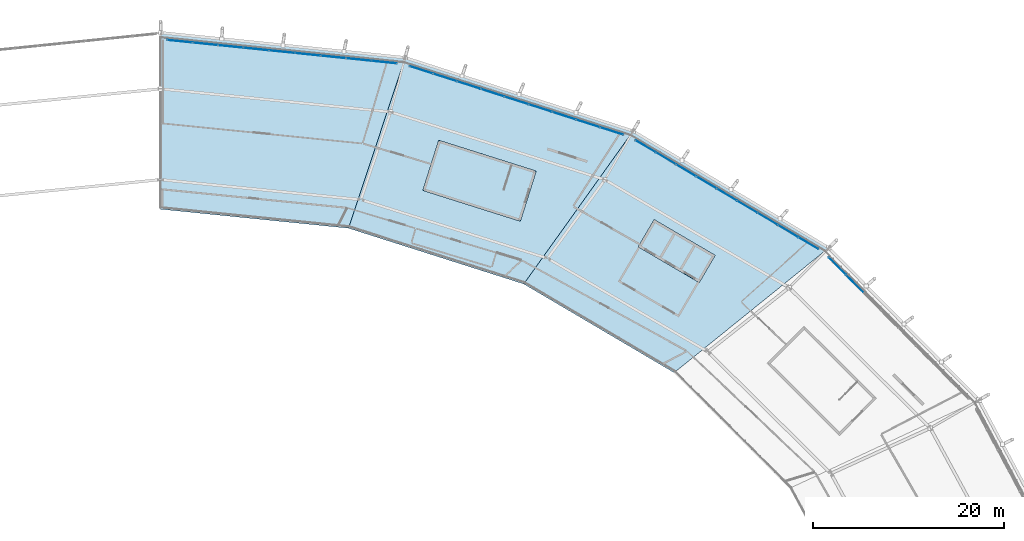
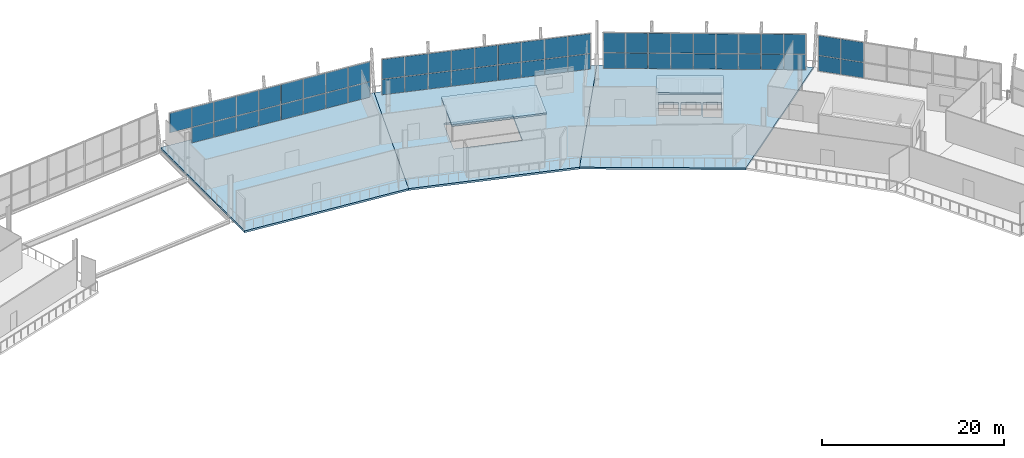
# One storey, part 61 of 99: 57 plates, 5 slabs, 4 elements without a shape of their own.
"""IFC4 building model written with IfcOpenShell, lengths in metres."""

import ifcopenshell
import ifcopenshell.guid

model = None  # the IFC model being written
_history = None  # IfcOwnerHistory: only IFC2X3 demands one
_inside = {}  # id of a spatial element -> (the spatial element, [elements in it])
_under = {}  # id of a project, library or spatial element -> (it, [spatial elements below it])
_declared = {}  # id of a project -> (the project, [libraries it declares])
_typed = {}  # id of a type object -> (the type object, [elements of that type])
_made_of = {}  # id of a material, layer set ... -> (it, [elements and type objects made of it])


def new_model(schema):
    """Start an empty IFC model of exactly this schema.

    Asked for "IFC4X3", IfcOpenShell would pick the latest addendum, in which some entities
    have other attributes; the version numbers below select the first issue.
    IFC2X3 requires an IfcOwnerHistory on every rooted entity: one is made here for all.
    """
    global model, _history
    if schema == "IFC4X3":
        model = ifcopenshell.file(schema_version=(4, 3, 0, 0))
    else:
        model = ifcopenshell.file(schema=schema)
    _inside.clear()
    _under.clear()
    _declared.clear()
    _typed.clear()
    _made_of.clear()
    _history = None
    if model.schema == "IFC2X3":
        org = make("IfcOrganization", Name="unknown")
        user = make(
            "IfcPersonAndOrganization",
            ThePerson=make("IfcPerson", FamilyName="unknown"),
            TheOrganization=org,
        )
        app = make(
            "IfcApplication",
            ApplicationDeveloper=org,
            Version="unknown",
            ApplicationFullName="unknown",
            ApplicationIdentifier="unknown",
        )
        _history = make(
            "IfcOwnerHistory",
            OwningUser=user,
            OwningApplication=app,
            ChangeAction="ADDED",
            CreationDate=0,
        )
    return model


def make(cls, **values):
    """One entity of the class cls with the attributes given. An attribute that is None is left unset."""
    return model.create_entity(
        cls, **{name: value for name, value in values.items() if value is not None}
    )


def rooted(cls, **values):
    """An entity with a GlobalId (a new one), such as an element, a storey or a relation."""
    return make(cls, GlobalId=ifcopenshell.guid.new(), OwnerHistory=_history, **values)


def si_unit(unit_type, name, prefix=None):
    """IfcSIUnit, for example si_unit("LENGTHUNIT", "METRE", prefix="MILLI")."""
    return make("IfcSIUnit", UnitType=unit_type, Prefix=prefix, Name=name)


def assignment(units):
    """IfcUnitAssignment: the units of a project."""
    return None if units is None else make("IfcUnitAssignment", Units=units)


def point(xyz):
    """IfcCartesianPoint."""
    return None if xyz is None else make("IfcCartesianPoint", Coordinates=xyz)


def direction(xyz):
    """IfcDirection."""
    return None if xyz is None else make("IfcDirection", DirectionRatios=xyz)


def frame(location, z_axis=None, x_axis=None):
    """IfcAxis2Placement3D, a coordinate frame: its origin and axes. An axis left out is left unset."""
    return make(
        "IfcAxis2Placement3D",
        Location=point(location),
        Axis=direction(z_axis),
        RefDirection=direction(x_axis),
    )


def frame_2d(location, x_axis=None):
    """IfcAxis2Placement2D, a coordinate frame in the plane: its origin and x axis."""
    return make(
        "IfcAxis2Placement2D", Location=point(location), RefDirection=direction(x_axis)
    )


def origin():
    """The frame at (0, 0, 0) with its axes left unset."""
    return frame((0.0, 0.0, 0.0))


def origin_2d():
    """The frame at (0, 0) in the plane with its x axis left unset."""
    return frame_2d((0.0, 0.0))


def place(relative_to, where):
    """IfcLocalPlacement: puts the frame where relative to a parent placement (None: the world)."""
    return make(
        "IfcLocalPlacement", PlacementRelTo=relative_to, RelativePlacement=where
    )


def context(
    kind, dimensions, precision=None, world=None, true_north=None, identifier=None
):
    """IfcGeometricRepresentationContext, for example the 3D "Model" context."""
    return make(
        "IfcGeometricRepresentationContext",
        ContextIdentifier=identifier,
        ContextType=kind,
        CoordinateSpaceDimension=dimensions,
        Precision=precision,
        WorldCoordinateSystem=world,
        TrueNorth=true_north,
    )


def subcontext(parent, identifier, kind, view, scale=None):
    """IfcGeometricRepresentationSubContext, for example "Body" below "Model"."""
    return make(
        "IfcGeometricRepresentationSubContext",
        ContextIdentifier=identifier,
        ContextType=kind,
        ParentContext=parent,
        TargetScale=scale,
        TargetView=view,
    )


def project(units=None, contexts=None):
    """IfcProject with its units and contexts."""
    return rooted(
        "IfcProject",
        Name="project",
        RepresentationContexts=contexts,
        UnitsInContext=assignment(units),
    )


def spatial(cls, under=None, at=None, **own):
    """A site, building, storey or space (cls), placed at a placement, below another one or the project."""
    s = rooted(cls, ObjectPlacement=at, **own)
    if under is not None:
        _under.setdefault(under.id(), (under, []))[1].append(s)
    return s


def polyline(points):
    """IfcPolyline through the points."""
    return make("IfcPolyline", Points=[point(p) for p in points])


def profile(cls, at=None, kind="AREA", **sizes):
    """A parametric profile (cls). Its sizes go by their IFC names, for example OverallWidth=200.0."""
    return make(cls, ProfileType=kind, Position=at, **sizes)


def rectangle(**sizes):
    """IfcRectangleProfileDef."""
    return profile("IfcRectangleProfileDef", **sizes)


def outline(outer, holes=None, kind="AREA"):
    """IfcArbitraryClosedProfileDef: a profile drawn as a closed curve; with holes, ...WithVoids."""
    if holes is None:
        return make("IfcArbitraryClosedProfileDef", ProfileType=kind, OuterCurve=outer)
    return make(
        "IfcArbitraryProfileDefWithVoids",
        ProfileType=kind,
        OuterCurve=outer,
        InnerCurves=holes,
    )


def extrude(swept, where, along, depth):
    """IfcExtrudedAreaSolid: the profile swept, set in the frame where, extruded along a direction by depth."""
    return make(
        "IfcExtrudedAreaSolid",
        SweptArea=swept,
        Position=where,
        ExtrudedDirection=direction(along),
        Depth=depth,
    )


def shape(context_of_items, identifier, shape_type, items):
    """IfcShapeRepresentation: the items that make up one representation, for example the "Body"."""
    return make(
        "IfcShapeRepresentation",
        ContextOfItems=context_of_items,
        RepresentationIdentifier=identifier,
        RepresentationType=shape_type,
        Items=items,
    )


def material(Name=None, Category=None):
    """IfcMaterial."""
    return make("IfcMaterial", Name=Name, Category=Category)


def layer(
    of_material, thickness, ventilated=None, Name=None, Category=None, Priority=None
):
    """IfcMaterialLayer: one layer of a wall or slab, of a material (None: an air gap)."""
    return make(
        "IfcMaterialLayer",
        Material=of_material,
        LayerThickness=thickness,
        IsVentilated=ventilated,
        Name=Name,
        Category=Category,
        Priority=Priority,
    )


def layer_set(layers, Name=None):
    """IfcMaterialLayerSet."""
    return make("IfcMaterialLayerSet", MaterialLayers=layers, LayerSetName=Name)


def made_of(thing, what):
    """Note that an element or type object is made of a material, layer set ...; save() writes the relation."""
    if what is not None:
        _made_of.setdefault(what.id(), (what, []))[1].append(thing)
    return thing


def type_object(cls, material=None, **own):
    """A type object (cls), such as IfcWallType, which elements share."""
    return made_of(rooted(cls, **own), material)


def element(
    cls,
    number,
    at=None,
    inside=None,
    cuts=None,
    type_object=None,
    material=None,
    context=None,
    identifier="Body",
    shape_type=None,
    held_by="IfcProductDefinitionShape",
    body=None,
    shapes=None,
    **own,
):
    """One element of the class cls, such as IfcWall. Its Tag is "e" and its number.

    at: its placement. inside: the storey or other place that contains it. cuts: it is an
    opening in that element (IfcRelVoidsElement). A single representation is given by context,
    identifier, shape_type and body (its items); several are given by shapes. held_by: the class
    of the entity that holds the representations. save() writes the other relations.
    """
    e = rooted(cls, Tag="e%d" % number, ObjectPlacement=at, **own)
    if body is not None:
        shapes = [shape(context, identifier, shape_type, body)]
    if shapes is not None:
        e.Representation = make(held_by, Representations=shapes)
    if inside is not None:
        _inside.setdefault(inside.id(), (inside, []))[1].append(e)
    if cuts is not None:
        rooted(
            "IfcRelVoidsElement", RelatingBuildingElement=cuts, RelatedOpeningElement=e
        )
    if type_object is not None:
        _typed.setdefault(type_object.id(), (type_object, []))[1].append(e)
    return made_of(e, material)


def aggregate(whole, parts):
    """IfcRelAggregates: a whole, such as a stair, and the parts it consists of."""
    return rooted("IfcRelAggregates", RelatingObject=whole, RelatedObjects=parts)


def save(model, path):
    """Write the relations noted so far, then the file.

    IfcRelAggregates (storeys below a building ...), IfcRelContainedInSpatialStructure (elements
    in a storey), IfcRelDefinesByType, IfcRelAssociatesMaterial and IfcRelDeclares: one each for
    every whole, place, type object, material and project.
    """
    for whole, parts in _under.values():
        aggregate(whole, parts)
    for where, things in _inside.values():
        rooted(
            "IfcRelContainedInSpatialStructure",
            RelatedElements=things,
            RelatingStructure=where,
        )
    for kind, things in _typed.values():
        rooted("IfcRelDefinesByType", RelatedObjects=things, RelatingType=kind)
    for what, things in _made_of.values():
        rooted("IfcRelAssociatesMaterial", RelatedObjects=things, RelatingMaterial=what)
    for by, libraries in _declared.values():
        rooted("IfcRelDeclares", RelatingContext=by, RelatedDefinitions=libraries)
    model.write(path)


model = new_model("IFC4")

# Units and contexts
model_context = context("Model", 3, precision=1e-05, world=origin(), true_north=direction((0.0, 1.0)))
body_context = subcontext(model_context, "Body", "Model", "MODEL_VIEW")
ifc_project = project(units=[si_unit("LENGTHUNIT", "METRE"), si_unit("AREAUNIT", "SQUARE_METRE"), si_unit("VOLUMEUNIT", "CUBIC_METRE"), si_unit("PLANEANGLEUNIT", "RADIAN"), si_unit("MASSUNIT", "GRAM", prefix="KILO")], contexts=[model_context])

# Site, building, storey
site_placement = place(None, origin())
site = spatial("IfcSite", under=ifc_project, at=site_placement, CompositionType="ELEMENT")
building_placement = place(site_placement, origin())
building = spatial("IfcBuilding", under=site, at=building_placement, Name="Zlatoyarsky Gate Stadium", CompositionType="ELEMENT")
storey_placement = place(building_placement, frame((0.0, 0.0, 26.199951171875)))
storey = spatial("IfcBuildingStorey", under=building, at=storey_placement, Name="L05", CompositionType="ELEMENT", Elevation=26.199951171875)

# Slabs
ifc_material_1 = material(Name="Concrete C40/50", Category="concrete")
ifc_layer_1 = layer(ifc_material_1, 0.239990234375)
ifc_layer_set_1 = layer_set([ifc_layer_1], Name="Concrete C40/50")
slab_type_1 = type_object("IfcSlabType", Name="CONCRETE CORE TOP CAP SLAB 240", PredefinedType="ROOF", material=ifc_layer_set_1)
slab_1_placement = place(storey_placement, frame((0.0, 0.0, 3.199951171875)))
element("IfcSlab", 1, at=slab_1_placement, inside=storey, type_object=slab_type_1, Name="ST-03 stair headhouse roof cap", PredefinedType="ROOF", context=body_context, shape_type="SweptSolid", body=[
    extrude(outline(polyline([(150.302978515625, 142.388427734375), (140.10107421875, 145.61474609375), (138.442626953125, 140.37060546875), (148.644775390625, 137.14453125), (150.302978515625, 142.388427734375)])), origin(), (0.0, 0.0, 1.0), 0.239990234375),
])
slab_2_placement = place(storey_placement, frame((0.0, 0.0, 3.199951171875)))
element("IfcSlab", 2, at=slab_2_placement, inside=storey, type_object=slab_type_1, Name="C1 lift overrun top cap slab", PredefinedType="ROOF", context=body_context, shape_type="SweptSolid", body=[
    extrude(outline(polyline([(169.03076171875, 133.575439453125), (162.645751953125, 137.31591796875), (160.977783203125, 134.468505859375), (167.36279296875, 130.72802734375), (169.03076171875, 133.575439453125)])), origin(), (0.0, 0.0, 1.0), 0.239990234375),
])
ifc_layer_2 = layer(ifc_material_1, 0.260009765625)
ifc_layer_set_2 = layer_set([ifc_layer_2], Name="Concrete C40/50")
slab_type_2 = type_object("IfcSlabType", Name="CONCRETE SKYBOX SLAB 260", PredefinedType="FLOOR", material=ifc_layer_set_2)
slab_3_placement = place(storey_placement, frame((0.0, 0.0, -0.260009765625)))
element("IfcSlab", 3, at=slab_3_placement, inside=storey, type_object=slab_type_2, Name="L05 bowl sector 03 slab", PredefinedType="FLOOR", context=body_context, shape_type="SweptSolid", body=[
    extrude(outline(polyline([(149.0, 130.575927734375), (160.439208984375, 146.578369140625), (180.91748046875, 134.361083984375), (164.739990234375, 121.294921875), (149.0, 130.575927734375)]), holes=[polyline([(166.962890625, 134.4970703125), (165.547607421875, 132.0810546875), (167.2734375, 131.070068359375), (168.688720703125, 133.486083984375), (166.962890625, 134.4970703125)]), polyline([(164.84912109375, 135.7353515625), (163.58544921875, 133.578125), (165.483642578125, 132.46630859375), (166.747314453125, 134.623291015625), (164.84912109375, 135.7353515625)]), polyline([(164.63330078125, 135.86181640625), (162.735107421875, 136.9736328125), (161.471435546875, 134.816650390625), (163.36962890625, 133.70458984375), (164.63330078125, 135.86181640625)])]), origin(), (0.0, 0.0, 1.0), 0.260009765625),
])
slab_4_placement = place(storey_placement, frame((0.0, 0.0, -0.260009765625)))
element("IfcSlab", 4, at=slab_4_placement, inside=storey, type_object=slab_type_2, Name="L05 bowl sector 04 slab", PredefinedType="FLOOR", context=body_context, shape_type="SweptSolid", body=[
    extrude(outline(polyline([(130.670166015625, 136.41015625), (136.591552734375, 154.258544921875), (160.439208984375, 146.578369140625), (149.0, 130.575927734375), (130.670166015625, 136.41015625)]), holes=[polyline([(147.6533203125, 142.964111328125), (140.263916015625, 145.30078125), (138.75634765625, 140.53369140625), (146.145751953125, 138.197021484375), (147.6533203125, 142.964111328125)])]), origin(), (0.0, 0.0, 1.0), 0.260009765625),
])
slab_5_placement = place(storey_placement, frame((0.0, 0.0, -0.260009765625)))
element("IfcSlab", 5, at=slab_5_placement, inside=storey, type_object=slab_type_2, Name="L05 bowl sector 05 slab", PredefinedType="FLOOR", context=body_context, shape_type="SweptSolid", body=[
    extrude(outline(polyline([(111.0, 138.39990234375), (111.0, 156.878173828125), (136.591552734375, 154.258544921875), (130.670166015625, 136.41015625), (111.0, 138.39990234375)])), origin(), (0.0, 0.0, 1.0), 0.260009765625),
])

# Curtain wall, plates
ifc_material_2 = material(Name="Thermally broken anodised aluminium curtain wall", Category="aluminium")
curtain_wall_type = type_object("IfcCurtainWallType", Name="UNITISED SKYBOX RING GLAZING L05", PredefinedType="USERDEFINED", material=ifc_material_2)
curtain_wall_1_placement = place(storey_placement, origin())
curtain_wall_1 = element("IfcCurtainWall", 6, at=curtain_wall_1_placement, inside=storey, type_object=curtain_wall_type, Name="Curtain wall CW-L05-02", ObjectType="UNITISED GLAZING", PredefinedType="USERDEFINED")
ifc_material_3 = material(Name="Triple-glazed argon low-e architectural glass", Category="glass")
ifc_layer_3 = layer(ifc_material_3, 0.0380859375)
ifc_layer_set_3 = layer_set([ifc_layer_3], Name="Triple-glazed argon low-e architectural glass")
plate_type = type_object("IfcPlateType", Name="TRIPLE GLAZED LOW E CURTAIN PANEL 38", PredefinedType="CURTAIN_PANEL", material=ifc_layer_set_3)
plate_1_placement = place(storey_placement, frame((183.633544921875, 130.619140625, 0.06494140625), z_axis=(0.0, 0.0, 1.0), x_axis=(-0.70315589898, 0.711035710587, 0.0)))
plate_1 = element("IfcPlate", 7, at=plate_1_placement, type_object=plate_type, Name="CW-UG5 panel 7.1", PredefinedType="CURTAIN_PANEL", context=body_context, shape_type="SweptSolid", body=[
    extrude(rectangle(XDim=2.546142578125, YDim=0.0380859375, at=origin_2d()), origin(), (0.0, 0.0, 1.0), 2.052490234375),
])
plate_2_placement = place(storey_placement, frame((183.633544921875, 130.619140625, 2.1826171875), z_axis=(0.0, 0.0, 1.0), x_axis=(-0.70315589898, 0.711035710587, 0.0)))
plate_2 = element("IfcPlate", 8, at=plate_2_placement, type_object=plate_type, Name="CW-UG5 panel 7.2", PredefinedType="CURTAIN_PANEL", context=body_context, shape_type="SweptSolid", body=[
    extrude(rectangle(XDim=2.546142578125, YDim=0.0380859375, at=origin_2d()), origin(), (0.0, 0.0, 1.0), 2.632568359375),
])
plate_3_placement = place(storey_placement, frame((181.808837890625, 132.464111328125, 0.06494140625), z_axis=(0.0, 0.0, 1.0), x_axis=(-0.70315589898, 0.711035710587, 0.0)))
plate_3 = element("IfcPlate", 9, at=plate_3_placement, type_object=plate_type, Name="CW-UG5 panel 8.1", PredefinedType="CURTAIN_PANEL", context=body_context, shape_type="SweptSolid", body=[
    extrude(rectangle(XDim=2.513671875, YDim=0.0380859375, at=origin_2d()), origin(), (0.0, 0.0, 1.0), 2.052490234375),
])
plate_4_placement = place(storey_placement, frame((181.808837890625, 132.464111328125, 2.1826171875), z_axis=(0.0, 0.0, 1.0), x_axis=(-0.70315589898, 0.711035710587, 0.0)))
plate_4 = element("IfcPlate", 10, at=plate_4_placement, type_object=plate_type, Name="CW-UG5 panel 8.2", PredefinedType="CURTAIN_PANEL", context=body_context, shape_type="SweptSolid", body=[
    extrude(rectangle(XDim=2.513671875, YDim=0.0380859375, at=origin_2d()), origin(), (0.0, 0.0, 1.0), 2.632568359375),
])
aggregate(curtain_wall_1, [plate_1, plate_2, plate_3, plate_4])

curtain_wall_2_placement = place(storey_placement, origin())
curtain_wall_2 = element("IfcCurtainWall", 11, at=curtain_wall_2_placement, inside=storey, type_object=curtain_wall_type, Name="Curtain wall CW-L05-03", ObjectType="UNITISED GLAZING", PredefinedType="USERDEFINED")
plate_5_placement = place(storey_placement, frame((178.782470703125, 134.842529296875, 0.06494140625), z_axis=(0.0, 0.0, 1.0), x_axis=(-0.859237337802, 0.511577166542, 0.0)))
plate_5 = element("IfcPlate", 12, at=plate_5_placement, type_object=plate_type, Name="CW-UG5 panel 1.1", PredefinedType="CURTAIN_PANEL", context=body_context, shape_type="SweptSolid", body=[
    extrude(rectangle(XDim=2.387451171875, YDim=0.0380859375, at=origin_2d()), origin(), (0.0, 0.0, 1.0), 2.052490234375),
])
plate_6_placement = place(storey_placement, frame((178.782470703125, 134.842529296875, 2.1826171875), z_axis=(0.0, 0.0, 1.0), x_axis=(-0.859237337802, 0.511577166542, 0.0)))
plate_6 = element("IfcPlate", 13, at=plate_6_placement, type_object=plate_type, Name="CW-UG5 panel 1.2", PredefinedType="CURTAIN_PANEL", context=body_context, shape_type="SweptSolid", body=[
    extrude(rectangle(XDim=2.387451171875, YDim=0.0380859375, at=origin_2d()), origin(), (0.0, 0.0, 1.0), 2.632568359375),
])
plate_7_placement = place(storey_placement, frame((176.6611328125, 136.10546875, 0.06494140625), z_axis=(0.0, 0.0, 1.0), x_axis=(-0.859237337802, 0.511577166542, 0.0)))
plate_7 = element("IfcPlate", 14, at=plate_7_placement, type_object=plate_type, Name="CW-UG5 panel 2.1", PredefinedType="CURTAIN_PANEL", context=body_context, shape_type="SweptSolid", body=[
    extrude(rectangle(XDim=2.419921875, YDim=0.0380859375, at=origin_2d()), origin(), (0.0, 0.0, 1.0), 2.052490234375),
])
plate_8_placement = place(storey_placement, frame((176.6611328125, 136.10546875, 2.1826171875), z_axis=(0.0, 0.0, 1.0), x_axis=(-0.859237337802, 0.511577166542, 0.0)))
plate_8 = element("IfcPlate", 15, at=plate_8_placement, type_object=plate_type, Name="CW-UG5 panel 2.2", PredefinedType="CURTAIN_PANEL", context=body_context, shape_type="SweptSolid", body=[
    extrude(rectangle(XDim=2.419921875, YDim=0.0380859375, at=origin_2d()), origin(), (0.0, 0.0, 1.0), 2.632568359375),
])
plate_9_placement = place(storey_placement, frame((174.526123046875, 137.376708984375, 0.06494140625), z_axis=(0.0, 0.0, 1.0), x_axis=(-0.859237337802, 0.511577166542, 0.0)))
plate_9 = element("IfcPlate", 16, at=plate_9_placement, type_object=plate_type, Name="CW-UG5 panel 3.1", PredefinedType="CURTAIN_PANEL", context=body_context, shape_type="SweptSolid", body=[
    extrude(rectangle(XDim=2.419921875, YDim=0.0380859375, at=origin_2d()), origin(), (0.0, 0.0, 1.0), 2.052490234375),
])
plate_10_placement = place(storey_placement, frame((174.526123046875, 137.376708984375, 2.1826171875), z_axis=(0.0, 0.0, 1.0), x_axis=(-0.859237337802, 0.511577166542, 0.0)))
plate_10 = element("IfcPlate", 17, at=plate_10_placement, type_object=plate_type, Name="CW-UG5 panel 3.2", PredefinedType="CURTAIN_PANEL", context=body_context, shape_type="SweptSolid", body=[
    extrude(rectangle(XDim=2.419921875, YDim=0.0380859375, at=origin_2d()), origin(), (0.0, 0.0, 1.0), 2.632568359375),
])
plate_11_placement = place(storey_placement, frame((172.390869140625, 138.64794921875, 0.06494140625), z_axis=(0.0, 0.0, 1.0), x_axis=(-0.859237337802, 0.511577166542, 0.0)))
plate_11 = element("IfcPlate", 18, at=plate_11_placement, type_object=plate_type, Name="CW-UG5 panel 4.1", PredefinedType="CURTAIN_PANEL", context=body_context, shape_type="SweptSolid", body=[
    extrude(rectangle(XDim=2.419921875, YDim=0.0380859375, at=origin_2d()), origin(), (0.0, 0.0, 1.0), 2.052490234375),
])
plate_12_placement = place(storey_placement, frame((172.390869140625, 138.64794921875, 2.1826171875), z_axis=(0.0, 0.0, 1.0), x_axis=(-0.859237337802, 0.511577166542, 0.0)))
plate_12 = element("IfcPlate", 19, at=plate_12_placement, type_object=plate_type, Name="CW-UG5 panel 4.2", PredefinedType="CURTAIN_PANEL", context=body_context, shape_type="SweptSolid", body=[
    extrude(rectangle(XDim=2.419921875, YDim=0.0380859375, at=origin_2d()), origin(), (0.0, 0.0, 1.0), 2.632568359375),
])
plate_13_placement = place(storey_placement, frame((170.255859375, 139.919189453125, 0.06494140625), z_axis=(0.0, 0.0, 1.0), x_axis=(-0.859237337802, 0.511577166542, 0.0)))
plate_13 = element("IfcPlate", 20, at=plate_13_placement, type_object=plate_type, Name="CW-UG5 panel 5.1", PredefinedType="CURTAIN_PANEL", context=body_context, shape_type="SweptSolid", body=[
    extrude(rectangle(XDim=2.419921875, YDim=0.0380859375, at=origin_2d()), origin(), (0.0, 0.0, 1.0), 2.052490234375),
])
plate_14_placement = place(storey_placement, frame((170.255859375, 139.919189453125, 2.1826171875), z_axis=(0.0, 0.0, 1.0), x_axis=(-0.859237337802, 0.511577166542, 0.0)))
plate_14 = element("IfcPlate", 21, at=plate_14_placement, type_object=plate_type, Name="CW-UG5 panel 5.2", PredefinedType="CURTAIN_PANEL", context=body_context, shape_type="SweptSolid", body=[
    extrude(rectangle(XDim=2.419921875, YDim=0.0380859375, at=origin_2d()), origin(), (0.0, 0.0, 1.0), 2.632568359375),
])
plate_15_placement = place(storey_placement, frame((168.12060546875, 141.1904296875, 0.06494140625), z_axis=(0.0, 0.0, 1.0), x_axis=(-0.859237337802, 0.511577166542, 0.0)))
plate_15 = element("IfcPlate", 22, at=plate_15_placement, type_object=plate_type, Name="CW-UG5 panel 6.1", PredefinedType="CURTAIN_PANEL", context=body_context, shape_type="SweptSolid", body=[
    extrude(rectangle(XDim=2.419921875, YDim=0.0380859375, at=origin_2d()), origin(), (0.0, 0.0, 1.0), 2.052490234375),
])
plate_16_placement = place(storey_placement, frame((168.12060546875, 141.1904296875, 2.1826171875), z_axis=(0.0, 0.0, 1.0), x_axis=(-0.859237337802, 0.511577166542, 0.0)))
plate_16 = element("IfcPlate", 23, at=plate_16_placement, type_object=plate_type, Name="CW-UG5 panel 6.2", PredefinedType="CURTAIN_PANEL", context=body_context, shape_type="SweptSolid", body=[
    extrude(rectangle(XDim=2.419921875, YDim=0.0380859375, at=origin_2d()), origin(), (0.0, 0.0, 1.0), 2.632568359375),
])
plate_17_placement = place(storey_placement, frame((165.9853515625, 142.461669921875, 0.06494140625), z_axis=(0.0, 0.0, 1.0), x_axis=(-0.859237337802, 0.511577166542, 0.0)))
plate_17 = element("IfcPlate", 24, at=plate_17_placement, type_object=plate_type, Name="CW-UG5 panel 7.1", PredefinedType="CURTAIN_PANEL", context=body_context, shape_type="SweptSolid", body=[
    extrude(rectangle(XDim=2.419921875, YDim=0.0380859375, at=origin_2d()), origin(), (0.0, 0.0, 1.0), 2.052490234375),
])
plate_18_placement = place(storey_placement, frame((165.9853515625, 142.461669921875, 2.1826171875), z_axis=(0.0, 0.0, 1.0), x_axis=(-0.859237337802, 0.511577166542, 0.0)))
plate_18 = element("IfcPlate", 25, at=plate_18_placement, type_object=plate_type, Name="CW-UG5 panel 7.2", PredefinedType="CURTAIN_PANEL", context=body_context, shape_type="SweptSolid", body=[
    extrude(rectangle(XDim=2.419921875, YDim=0.0380859375, at=origin_2d()), origin(), (0.0, 0.0, 1.0), 2.632568359375),
])
plate_19_placement = place(storey_placement, frame((163.850341796875, 143.73291015625, 0.06494140625), z_axis=(0.0, 0.0, 1.0), x_axis=(-0.859237337802, 0.511577166542, 0.0)))
plate_19 = element("IfcPlate", 26, at=plate_19_placement, type_object=plate_type, Name="CW-UG5 panel 8.1", PredefinedType="CURTAIN_PANEL", context=body_context, shape_type="SweptSolid", body=[
    extrude(rectangle(XDim=2.419921875, YDim=0.0380859375, at=origin_2d()), origin(), (0.0, 0.0, 1.0), 2.052490234375),
])
plate_20_placement = place(storey_placement, frame((163.850341796875, 143.73291015625, 2.1826171875), z_axis=(0.0, 0.0, 1.0), x_axis=(-0.859237337802, 0.511577166542, 0.0)))
plate_20 = element("IfcPlate", 27, at=plate_20_placement, type_object=plate_type, Name="CW-UG5 panel 8.2", PredefinedType="CURTAIN_PANEL", context=body_context, shape_type="SweptSolid", body=[
    extrude(rectangle(XDim=2.419921875, YDim=0.0380859375, at=origin_2d()), origin(), (0.0, 0.0, 1.0), 2.632568359375),
])
plate_21_placement = place(storey_placement, frame((161.729248046875, 144.995849609375, 0.06494140625), z_axis=(0.0, 0.0, 1.0), x_axis=(-0.859237337802, 0.511577166542, 0.0)))
plate_21 = element("IfcPlate", 28, at=plate_21_placement, type_object=plate_type, Name="CW-UG5 panel 9.1", PredefinedType="CURTAIN_PANEL", context=body_context, shape_type="SweptSolid", body=[
    extrude(rectangle(XDim=2.387451171875, YDim=0.0380859375, at=origin_2d()), origin(), (0.0, 0.0, 1.0), 2.052490234375),
])
plate_22_placement = place(storey_placement, frame((161.729248046875, 144.995849609375, 2.1826171875), z_axis=(0.0, 0.0, 1.0), x_axis=(-0.859237337802, 0.511577166542, 0.0)))
plate_22 = element("IfcPlate", 29, at=plate_22_placement, type_object=plate_type, Name="CW-UG5 panel 9.2", PredefinedType="CURTAIN_PANEL", context=body_context, shape_type="SweptSolid", body=[
    extrude(rectangle(XDim=2.387451171875, YDim=0.0380859375, at=origin_2d()), origin(), (0.0, 0.0, 1.0), 2.632568359375),
])
aggregate(curtain_wall_2, [plate_5, plate_6, plate_7, plate_8, plate_9, plate_10, plate_11, plate_12, plate_13, plate_14, plate_15, plate_16, plate_17, plate_18, plate_19, plate_20, plate_21, plate_22])

curtain_wall_3_placement = place(storey_placement, origin())
curtain_wall_3 = element("IfcCurtainWall", 30, at=curtain_wall_3_placement, inside=storey, type_object=curtain_wall_type, Name="Curtain wall CW-L05-04", ObjectType="UNITISED GLAZING", PredefinedType="USERDEFINED")
plate_23_placement = place(storey_placement, frame((158.2080078125, 146.57666015625, 0.06494140625), z_axis=(0.0, 0.0, 1.0), x_axis=(-0.952038580657, 0.305978007283, 0.0)))
plate_23 = element("IfcPlate", 31, at=plate_23_placement, type_object=plate_type, Name="CW-UG5 panel 1.1", PredefinedType="CURTAIN_PANEL", context=body_context, shape_type="SweptSolid", body=[
    extrude(rectangle(XDim=2.521484375, YDim=0.0380859375, at=origin_2d()), origin(), (0.0, 0.0, 1.0), 2.052490234375),
])
plate_24_placement = place(storey_placement, frame((158.2080078125, 146.57666015625, 2.1826171875), z_axis=(0.0, 0.0, 1.0), x_axis=(-0.952038580657, 0.305978007283, 0.0)))
plate_24 = element("IfcPlate", 32, at=plate_24_placement, type_object=plate_type, Name="CW-UG5 panel 1.2", PredefinedType="CURTAIN_PANEL", context=body_context, shape_type="SweptSolid", body=[
    extrude(rectangle(XDim=2.521484375, YDim=0.0380859375, at=origin_2d()), origin(), (0.0, 0.0, 1.0), 2.632568359375),
])
plate_25_placement = place(storey_placement, frame((155.730224609375, 147.373046875, 0.06494140625), z_axis=(0.0, 0.0, 1.0), x_axis=(-0.952038580657, 0.305978007283, 0.0)))
plate_25 = element("IfcPlate", 33, at=plate_25_placement, type_object=plate_type, Name="CW-UG5 panel 2.1", PredefinedType="CURTAIN_PANEL", context=body_context, shape_type="SweptSolid", body=[
    extrude(rectangle(XDim=2.553955078125, YDim=0.0380859375, at=origin_2d()), origin(), (0.0, 0.0, 1.0), 2.052490234375),
])
plate_26_placement = place(storey_placement, frame((155.730224609375, 147.373046875, 2.1826171875), z_axis=(0.0, 0.0, 1.0), x_axis=(-0.952038580657, 0.305978007283, 0.0)))
plate_26 = element("IfcPlate", 34, at=plate_26_placement, type_object=plate_type, Name="CW-UG5 panel 2.2", PredefinedType="CURTAIN_PANEL", context=body_context, shape_type="SweptSolid", body=[
    extrude(rectangle(XDim=2.553955078125, YDim=0.0380859375, at=origin_2d()), origin(), (0.0, 0.0, 1.0), 2.632568359375),
])
plate_27_placement = place(storey_placement, frame((153.236572265625, 148.174560546875, 0.06494140625), z_axis=(0.0, 0.0, 1.0), x_axis=(-0.952038580657, 0.305978007283, 0.0)))
plate_27 = element("IfcPlate", 35, at=plate_27_placement, type_object=plate_type, Name="CW-UG5 panel 3.1", PredefinedType="CURTAIN_PANEL", context=body_context, shape_type="SweptSolid", body=[
    extrude(rectangle(XDim=2.553955078125, YDim=0.0380859375, at=origin_2d()), origin(), (0.0, 0.0, 1.0), 2.052490234375),
])
plate_28_placement = place(storey_placement, frame((153.236572265625, 148.174560546875, 2.1826171875), z_axis=(0.0, 0.0, 1.0), x_axis=(-0.952038580657, 0.305978007283, 0.0)))
plate_28 = element("IfcPlate", 36, at=plate_28_placement, type_object=plate_type, Name="CW-UG5 panel 3.2", PredefinedType="CURTAIN_PANEL", context=body_context, shape_type="SweptSolid", body=[
    extrude(rectangle(XDim=2.553955078125, YDim=0.0380859375, at=origin_2d()), origin(), (0.0, 0.0, 1.0), 2.632568359375),
])
plate_29_placement = place(storey_placement, frame((150.7431640625, 148.975830078125, 0.06494140625), z_axis=(0.0, 0.0, 1.0), x_axis=(-0.952038580657, 0.305978007283, 0.0)))
plate_29 = element("IfcPlate", 37, at=plate_29_placement, type_object=plate_type, Name="CW-UG5 panel 4.1", PredefinedType="CURTAIN_PANEL", context=body_context, shape_type="SweptSolid", body=[
    extrude(rectangle(XDim=2.553955078125, YDim=0.0380859375, at=origin_2d()), origin(), (0.0, 0.0, 1.0), 2.052490234375),
])
plate_30_placement = place(storey_placement, frame((150.7431640625, 148.975830078125, 2.1826171875), z_axis=(0.0, 0.0, 1.0), x_axis=(-0.952038580657, 0.305978007283, 0.0)))
plate_30 = element("IfcPlate", 38, at=plate_30_placement, type_object=plate_type, Name="CW-UG5 panel 4.2", PredefinedType="CURTAIN_PANEL", context=body_context, shape_type="SweptSolid", body=[
    extrude(rectangle(XDim=2.553955078125, YDim=0.0380859375, at=origin_2d()), origin(), (0.0, 0.0, 1.0), 2.632568359375),
])
plate_31_placement = place(storey_placement, frame((148.249755859375, 149.77734375, 0.06494140625), z_axis=(0.0, 0.0, 1.0), x_axis=(-0.952038580657, 0.305978007283, 0.0)))
plate_31 = element("IfcPlate", 39, at=plate_31_placement, type_object=plate_type, Name="CW-UG5 panel 5.1", PredefinedType="CURTAIN_PANEL", context=body_context, shape_type="SweptSolid", body=[
    extrude(rectangle(XDim=2.553955078125, YDim=0.0380859375, at=origin_2d()), origin(), (0.0, 0.0, 1.0), 2.052490234375),
])
plate_32_placement = place(storey_placement, frame((148.249755859375, 149.77734375, 2.1826171875), z_axis=(0.0, 0.0, 1.0), x_axis=(-0.952038580657, 0.305978007283, 0.0)))
plate_32 = element("IfcPlate", 40, at=plate_32_placement, type_object=plate_type, Name="CW-UG5 panel 5.2", PredefinedType="CURTAIN_PANEL", context=body_context, shape_type="SweptSolid", body=[
    extrude(rectangle(XDim=2.553955078125, YDim=0.0380859375, at=origin_2d()), origin(), (0.0, 0.0, 1.0), 2.632568359375),
])
plate_33_placement = place(storey_placement, frame((145.75634765625, 150.57861328125, 0.06494140625), z_axis=(0.0, 0.0, 1.0), x_axis=(-0.952038580657, 0.305978007283, 0.0)))
plate_33 = element("IfcPlate", 41, at=plate_33_placement, type_object=plate_type, Name="CW-UG5 panel 6.1", PredefinedType="CURTAIN_PANEL", context=body_context, shape_type="SweptSolid", body=[
    extrude(rectangle(XDim=2.553955078125, YDim=0.0380859375, at=origin_2d()), origin(), (0.0, 0.0, 1.0), 2.052490234375),
])
plate_34_placement = place(storey_placement, frame((145.75634765625, 150.57861328125, 2.1826171875), z_axis=(0.0, 0.0, 1.0), x_axis=(-0.952038580657, 0.305978007283, 0.0)))
plate_34 = element("IfcPlate", 42, at=plate_34_placement, type_object=plate_type, Name="CW-UG5 panel 6.2", PredefinedType="CURTAIN_PANEL", context=body_context, shape_type="SweptSolid", body=[
    extrude(rectangle(XDim=2.553955078125, YDim=0.0380859375, at=origin_2d()), origin(), (0.0, 0.0, 1.0), 2.632568359375),
])
plate_35_placement = place(storey_placement, frame((143.262939453125, 151.380126953125, 0.06494140625), z_axis=(0.0, 0.0, 1.0), x_axis=(-0.952038580657, 0.305978007283, 0.0)))
plate_35 = element("IfcPlate", 43, at=plate_35_placement, type_object=plate_type, Name="CW-UG5 panel 7.1", PredefinedType="CURTAIN_PANEL", context=body_context, shape_type="SweptSolid", body=[
    extrude(rectangle(XDim=2.553955078125, YDim=0.0380859375, at=origin_2d()), origin(), (0.0, 0.0, 1.0), 2.052490234375),
])
plate_36_placement = place(storey_placement, frame((143.262939453125, 151.380126953125, 2.1826171875), z_axis=(0.0, 0.0, 1.0), x_axis=(-0.952038580657, 0.305978007283, 0.0)))
plate_36 = element("IfcPlate", 44, at=plate_36_placement, type_object=plate_type, Name="CW-UG5 panel 7.2", PredefinedType="CURTAIN_PANEL", context=body_context, shape_type="SweptSolid", body=[
    extrude(rectangle(XDim=2.553955078125, YDim=0.0380859375, at=origin_2d()), origin(), (0.0, 0.0, 1.0), 2.632568359375),
])
plate_37_placement = place(storey_placement, frame((140.769287109375, 152.181396484375, 0.06494140625), z_axis=(0.0, 0.0, 1.0), x_axis=(-0.952038580657, 0.305978007283, 0.0)))
plate_37 = element("IfcPlate", 45, at=plate_37_placement, type_object=plate_type, Name="CW-UG5 panel 8.1", PredefinedType="CURTAIN_PANEL", context=body_context, shape_type="SweptSolid", body=[
    extrude(rectangle(XDim=2.553955078125, YDim=0.0380859375, at=origin_2d()), origin(), (0.0, 0.0, 1.0), 2.052490234375),
])
plate_38_placement = place(storey_placement, frame((140.769287109375, 152.181396484375, 2.1826171875), z_axis=(0.0, 0.0, 1.0), x_axis=(-0.952038580657, 0.305978007283, 0.0)))
plate_38 = element("IfcPlate", 46, at=plate_38_placement, type_object=plate_type, Name="CW-UG5 panel 8.2", PredefinedType="CURTAIN_PANEL", context=body_context, shape_type="SweptSolid", body=[
    extrude(rectangle(XDim=2.553955078125, YDim=0.0380859375, at=origin_2d()), origin(), (0.0, 0.0, 1.0), 2.632568359375),
])
plate_39_placement = place(storey_placement, frame((138.29150390625, 152.977783203125, 0.06494140625), z_axis=(0.0, 0.0, 1.0), x_axis=(-0.952038580657, 0.305978007283, 0.0)))
plate_39 = element("IfcPlate", 47, at=plate_39_placement, type_object=plate_type, Name="CW-UG5 panel 9.1", PredefinedType="CURTAIN_PANEL", context=body_context, shape_type="SweptSolid", body=[
    extrude(rectangle(XDim=2.521484375, YDim=0.0380859375, at=origin_2d()), origin(), (0.0, 0.0, 1.0), 2.052490234375),
])
plate_40_placement = place(storey_placement, frame((138.29150390625, 152.977783203125, 2.1826171875), z_axis=(0.0, 0.0, 1.0), x_axis=(-0.952038580657, 0.305978007283, 0.0)))
plate_40 = element("IfcPlate", 48, at=plate_40_placement, type_object=plate_type, Name="CW-UG5 panel 9.2", PredefinedType="CURTAIN_PANEL", context=body_context, shape_type="SweptSolid", body=[
    extrude(rectangle(XDim=2.521484375, YDim=0.0380859375, at=origin_2d()), origin(), (0.0, 0.0, 1.0), 2.632568359375),
])
aggregate(curtain_wall_3, [plate_23, plate_24, plate_25, plate_26, plate_27, plate_28, plate_29, plate_30, plate_31, plate_32, plate_33, plate_34, plate_35, plate_36, plate_37, plate_38, plate_39, plate_40])

curtain_wall_4_placement = place(storey_placement, origin())
curtain_wall_4 = element("IfcCurtainWall", 49, at=curtain_wall_4_placement, inside=storey, type_object=curtain_wall_type, Name="Curtain wall CW-L05-05", ObjectType="UNITISED GLAZING", PredefinedType="USERDEFINED")
plate_41_placement = place(storey_placement, frame((134.40771484375, 153.787109375, 0.06494140625), z_axis=(0.0, 0.0, 1.0), x_axis=(-0.994823467586, 0.101618248063, 0.0)))
plate_41 = element("IfcPlate", 50, at=plate_41_placement, type_object=plate_type, Name="CW-UG5 panel 1.1", PredefinedType="CURTAIN_PANEL", context=body_context, shape_type="SweptSolid", body=[
    extrude(rectangle(XDim=2.59619140625, YDim=0.0380859375, at=origin_2d()), origin(), (0.0, 0.0, 1.0), 2.052490234375),
])
plate_42_placement = place(storey_placement, frame((134.40771484375, 153.787109375, 2.1826171875), z_axis=(0.0, 0.0, 1.0), x_axis=(-0.994823467586, 0.101618248063, 0.0)))
plate_42 = element("IfcPlate", 51, at=plate_42_placement, type_object=plate_type, Name="CW-UG5 panel 1.2", PredefinedType="CURTAIN_PANEL", context=body_context, shape_type="SweptSolid", body=[
    extrude(rectangle(XDim=2.59619140625, YDim=0.0380859375, at=origin_2d()), origin(), (0.0, 0.0, 1.0), 2.632568359375),
])
plate_43_placement = place(storey_placement, frame((131.744384765625, 154.05908203125, 0.06494140625), z_axis=(0.0, 0.0, 1.0), x_axis=(-0.994823467586, 0.101618248063, 0.0)))
plate_43 = element("IfcPlate", 52, at=plate_43_placement, type_object=plate_type, Name="CW-UG5 panel 2.1", PredefinedType="CURTAIN_PANEL", context=body_context, shape_type="SweptSolid", body=[
    extrude(rectangle(XDim=2.628662109375, YDim=0.0380859375, at=origin_2d()), origin(), (0.0, 0.0, 1.0), 2.052490234375),
])
plate_44_placement = place(storey_placement, frame((131.744384765625, 154.05908203125, 2.1826171875), z_axis=(0.0, 0.0, 1.0), x_axis=(-0.994823467586, 0.101618248063, 0.0)))
plate_44 = element("IfcPlate", 53, at=plate_44_placement, type_object=plate_type, Name="CW-UG5 panel 2.2", PredefinedType="CURTAIN_PANEL", context=body_context, shape_type="SweptSolid", body=[
    extrude(rectangle(XDim=2.628662109375, YDim=0.0380859375, at=origin_2d()), origin(), (0.0, 0.0, 1.0), 2.632568359375),
])
plate_45_placement = place(storey_placement, frame((129.064697265625, 154.332763671875, 0.06494140625), z_axis=(0.0, 0.0, 1.0), x_axis=(-0.994823467586, 0.101618248063, 0.0)))
plate_45 = element("IfcPlate", 54, at=plate_45_placement, type_object=plate_type, Name="CW-UG5 panel 3.1", PredefinedType="CURTAIN_PANEL", context=body_context, shape_type="SweptSolid", body=[
    extrude(rectangle(XDim=2.628662109375, YDim=0.0380859375, at=origin_2d()), origin(), (0.0, 0.0, 1.0), 2.052490234375),
])
plate_46_placement = place(storey_placement, frame((129.064697265625, 154.332763671875, 2.1826171875), z_axis=(0.0, 0.0, 1.0), x_axis=(-0.994823467586, 0.101618248063, 0.0)))
plate_46 = element("IfcPlate", 55, at=plate_46_placement, type_object=plate_type, Name="CW-UG5 panel 3.2", PredefinedType="CURTAIN_PANEL", context=body_context, shape_type="SweptSolid", body=[
    extrude(rectangle(XDim=2.628662109375, YDim=0.0380859375, at=origin_2d()), origin(), (0.0, 0.0, 1.0), 2.632568359375),
])
plate_47_placement = place(storey_placement, frame((126.385009765625, 154.6064453125, 0.06494140625), z_axis=(0.0, 0.0, 1.0), x_axis=(-0.994823467586, 0.101618248063, 0.0)))
plate_47 = element("IfcPlate", 56, at=plate_47_placement, type_object=plate_type, Name="CW-UG5 panel 4.1", PredefinedType="CURTAIN_PANEL", context=body_context, shape_type="SweptSolid", body=[
    extrude(rectangle(XDim=2.628662109375, YDim=0.0380859375, at=origin_2d()), origin(), (0.0, 0.0, 1.0), 2.052490234375),
])
plate_48_placement = place(storey_placement, frame((126.385009765625, 154.6064453125, 2.1826171875), z_axis=(0.0, 0.0, 1.0), x_axis=(-0.994823467586, 0.101618248063, 0.0)))
plate_48 = element("IfcPlate", 57, at=plate_48_placement, type_object=plate_type, Name="CW-UG5 panel 4.2", PredefinedType="CURTAIN_PANEL", context=body_context, shape_type="SweptSolid", body=[
    extrude(rectangle(XDim=2.628662109375, YDim=0.0380859375, at=origin_2d()), origin(), (0.0, 0.0, 1.0), 2.632568359375),
])
plate_49_placement = place(storey_placement, frame((123.705078125, 154.88037109375, 0.06494140625), z_axis=(0.0, 0.0, 1.0), x_axis=(-0.994823467586, 0.101618248063, 0.0)))
plate_49 = element("IfcPlate", 58, at=plate_49_placement, type_object=plate_type, Name="CW-UG5 panel 5.1", PredefinedType="CURTAIN_PANEL", context=body_context, shape_type="SweptSolid", body=[
    extrude(rectangle(XDim=2.628662109375, YDim=0.0380859375, at=origin_2d()), origin(), (0.0, 0.0, 1.0), 2.052490234375),
])
plate_50_placement = place(storey_placement, frame((123.705078125, 154.88037109375, 2.1826171875), z_axis=(0.0, 0.0, 1.0), x_axis=(-0.994823467586, 0.101618248063, 0.0)))
plate_50 = element("IfcPlate", 59, at=plate_50_placement, type_object=plate_type, Name="CW-UG5 panel 5.2", PredefinedType="CURTAIN_PANEL", context=body_context, shape_type="SweptSolid", body=[
    extrude(rectangle(XDim=2.628662109375, YDim=0.0380859375, at=origin_2d()), origin(), (0.0, 0.0, 1.0), 2.632568359375),
])
plate_51_placement = place(storey_placement, frame((121.025390625, 155.154052734375, 0.06494140625), z_axis=(0.0, 0.0, 1.0), x_axis=(-0.994823467586, 0.101618248063, 0.0)))
plate_51 = element("IfcPlate", 60, at=plate_51_placement, type_object=plate_type, Name="CW-UG5 panel 6.1", PredefinedType="CURTAIN_PANEL", context=body_context, shape_type="SweptSolid", body=[
    extrude(rectangle(XDim=2.628662109375, YDim=0.0380859375, at=origin_2d()), origin(), (0.0, 0.0, 1.0), 2.052490234375),
])
plate_52_placement = place(storey_placement, frame((121.025390625, 155.154052734375, 2.1826171875), z_axis=(0.0, 0.0, 1.0), x_axis=(-0.994823467586, 0.101618248063, 0.0)))
plate_52 = element("IfcPlate", 61, at=plate_52_placement, type_object=plate_type, Name="CW-UG5 panel 6.2", PredefinedType="CURTAIN_PANEL", context=body_context, shape_type="SweptSolid", body=[
    extrude(rectangle(XDim=2.628662109375, YDim=0.0380859375, at=origin_2d()), origin(), (0.0, 0.0, 1.0), 2.632568359375),
])
plate_53_placement = place(storey_placement, frame((118.345703125, 155.427734375, 0.06494140625), z_axis=(0.0, 0.0, 1.0), x_axis=(-0.994823467586, 0.101618248063, 0.0)))
plate_53 = element("IfcPlate", 62, at=plate_53_placement, type_object=plate_type, Name="CW-UG5 panel 7.1", PredefinedType="CURTAIN_PANEL", context=body_context, shape_type="SweptSolid", body=[
    extrude(rectangle(XDim=2.628662109375, YDim=0.0380859375, at=origin_2d()), origin(), (0.0, 0.0, 1.0), 2.052490234375),
])
plate_54_placement = place(storey_placement, frame((118.345703125, 155.427734375, 2.1826171875), z_axis=(0.0, 0.0, 1.0), x_axis=(-0.994823467586, 0.101618248063, 0.0)))
plate_54 = element("IfcPlate", 63, at=plate_54_placement, type_object=plate_type, Name="CW-UG5 panel 7.2", PredefinedType="CURTAIN_PANEL", context=body_context, shape_type="SweptSolid", body=[
    extrude(rectangle(XDim=2.628662109375, YDim=0.0380859375, at=origin_2d()), origin(), (0.0, 0.0, 1.0), 2.632568359375),
])
plate_55_placement = place(storey_placement, frame((115.666015625, 155.701416015625, 0.06494140625), z_axis=(0.0, 0.0, 1.0), x_axis=(-0.994823467586, 0.101618248063, 0.0)))
plate_55 = element("IfcPlate", 64, at=plate_55_placement, type_object=plate_type, Name="CW-UG5 panel 8.1", PredefinedType="CURTAIN_PANEL", context=body_context, shape_type="SweptSolid", body=[
    extrude(rectangle(XDim=2.628662109375, YDim=0.0380859375, at=origin_2d()), origin(), (0.0, 0.0, 1.0), 2.052490234375),
])
plate_56_placement = place(storey_placement, frame((115.666015625, 155.701416015625, 2.1826171875), z_axis=(0.0, 0.0, 1.0), x_axis=(-0.994823467586, 0.101618248063, 0.0)))
plate_56 = element("IfcPlate", 65, at=plate_56_placement, type_object=plate_type, Name="CW-UG5 panel 8.2", PredefinedType="CURTAIN_PANEL", context=body_context, shape_type="SweptSolid", body=[
    extrude(rectangle(XDim=2.628662109375, YDim=0.0380859375, at=origin_2d()), origin(), (0.0, 0.0, 1.0), 2.632568359375),
])
plate_57_placement = place(storey_placement, frame((113.002685546875, 155.973388671875, 2.1826171875), z_axis=(0.0, 0.0, 1.0), x_axis=(-0.994823467586, 0.101618248063, 0.0)))
plate_57 = element("IfcPlate", 66, at=plate_57_placement, type_object=plate_type, Name="CW-UG5 panel 9.2", PredefinedType="CURTAIN_PANEL", context=body_context, shape_type="SweptSolid", body=[
    extrude(rectangle(XDim=2.59619140625, YDim=0.0380859375, at=origin_2d()), origin(), (0.0, 0.0, 1.0), 2.632568359375),
])
aggregate(curtain_wall_4, [plate_41, plate_42, plate_43, plate_44, plate_45, plate_46, plate_47, plate_48, plate_49, plate_50, plate_51, plate_52, plate_53, plate_54, plate_55, plate_56, plate_57])

save(model, "model.ifc")
